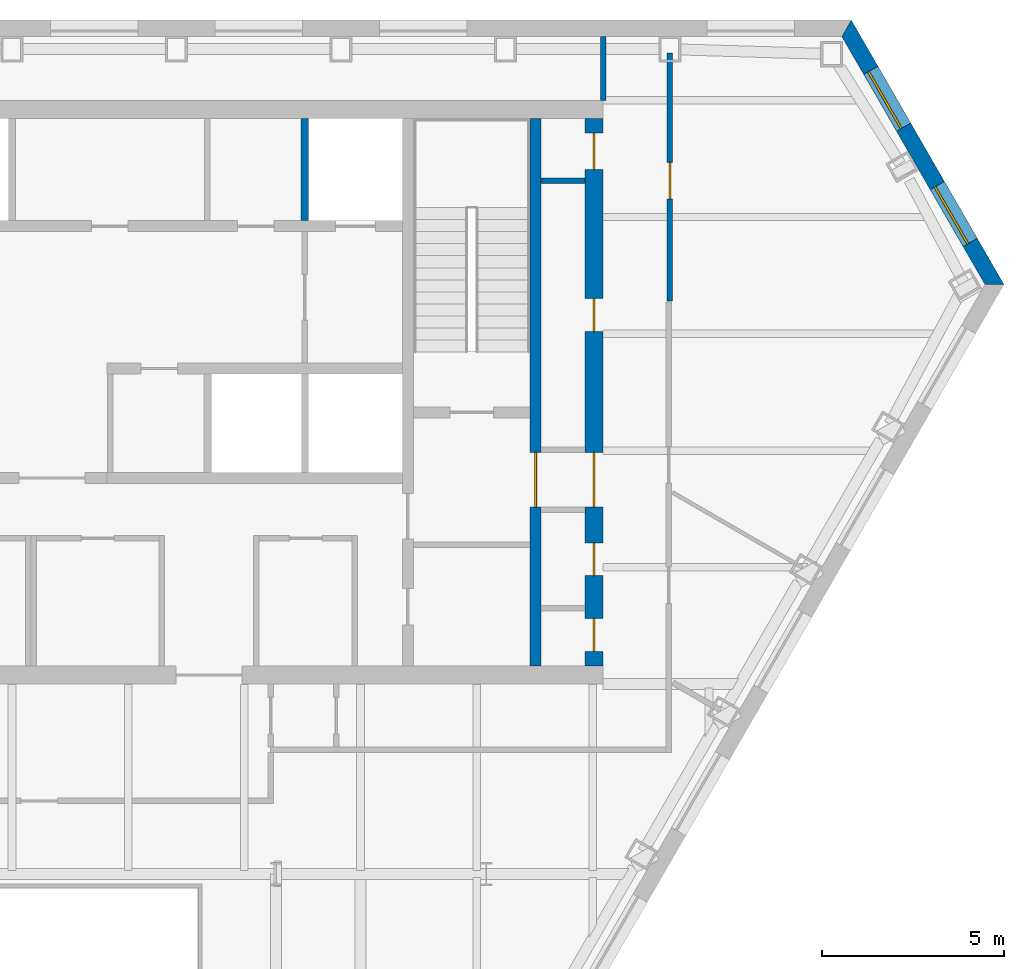
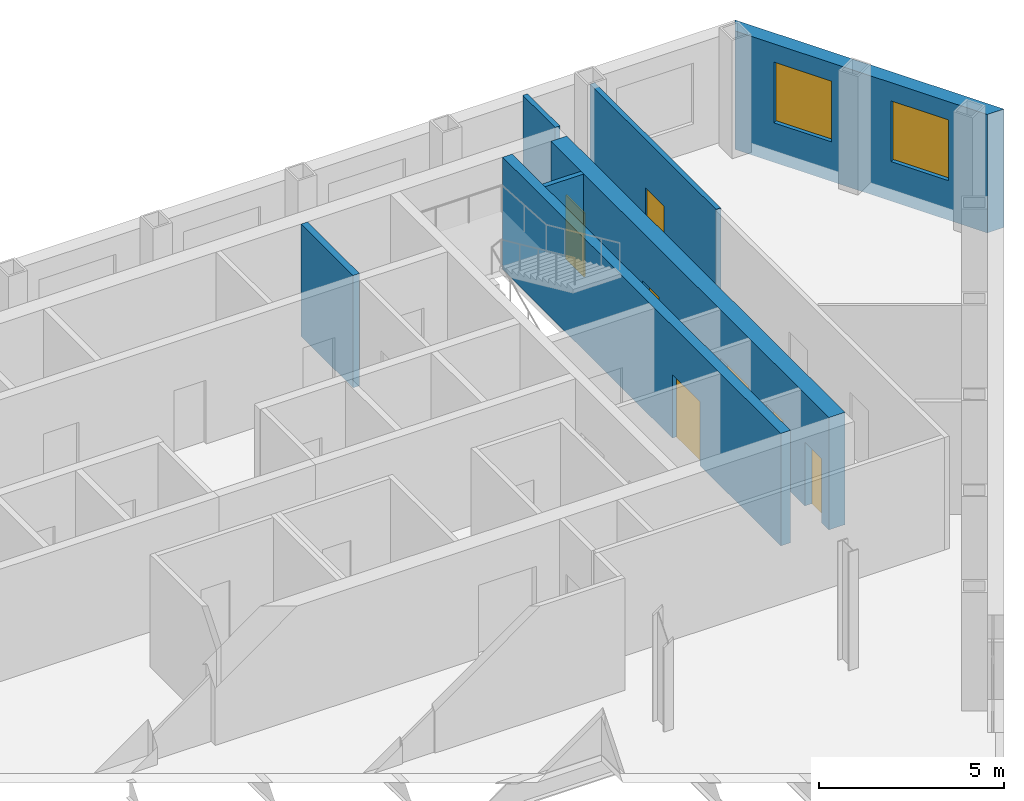
# One storey, part 8 of 11: 7 doors, 7 walls, 2 windows, 9 openings.
"""IFC4 building model written with IfcOpenShell, lengths in metres."""

from ifc_helpers import new_model, si_unit, direction, frame, frame_2d, origin, place, context, subcontext, project, spatial, polyline, rectangle, outline, extrude, material, layer, layer_set, type_object, element, fill, save


model = new_model("IFC4")

# Units and contexts
model_context = context("Model", 3, precision=1e-05, world=origin(), true_north=direction((0.0, 1.0)))
body_context = subcontext(model_context, "Body", "Model", "MODEL_VIEW")
ifc_project = project(units=[si_unit("LENGTHUNIT", "METRE"), si_unit("AREAUNIT", "SQUARE_METRE"), si_unit("VOLUMEUNIT", "CUBIC_METRE"), si_unit("PLANEANGLEUNIT", "RADIAN"), si_unit("MASSUNIT", "GRAM", prefix="KILO")], contexts=[model_context])

# Site, building, storey
site_placement = place(None, origin())
site = spatial("IfcSite", under=ifc_project, at=site_placement, CompositionType="ELEMENT")
building_placement = place(site_placement, origin())
building = spatial("IfcBuilding", under=site, at=building_placement, Name="Njiva Tower", CompositionType="ELEMENT")
storey_placement = place(building_placement, frame((0.0, 0.0, 163.2)))
storey = spatial("IfcBuildingStorey", under=building, at=storey_placement, Name="L35", CompositionType="ELEMENT", Elevation=163.2)

# Wall
ifc_material_1 = material(Name="Blockwork", Category="masonry")
ifc_layer_1 = layer(ifc_material_1, 0.15)
ifc_layer_set_1 = layer_set([ifc_layer_1], Name="Blockwork")
wall_type_1 = type_object("IfcWallType", Name="WT1 Compartment partition 150", PredefinedType="PARTITIONING", material=ifc_layer_set_1)
wall_1_placement = place(storey_placement, frame((14.5, 15.801, 0.0), z_axis=(0.0, 0.0, 1.0), x_axis=(1.0, 0.0, 0.0)))
element("IfcWall", 1, at=wall_1_placement, inside=storey, type_object=wall_type_1, Name="Partition strip E10", PredefinedType="PARTITIONING", context=body_context, shape_type="SweptSolid", body=[
    extrude(rectangle(XDim=1.2, YDim=0.15, at=frame_2d((0.6, 0.0))), origin(), (0.0, 0.0, 1.0), 3.7),
])

# Wall, opening, door
ifc_material_2 = material(Name="Concrete C40/50", Category="concrete")
ifc_layer_2 = layer(ifc_material_2, 0.3)
ifc_layer_set_2 = layer_set([ifc_layer_2], Name="Concrete C40/50")
wall_type_2 = type_object("IfcWallType", Name="WT10 Stair enclosure wall 300", PredefinedType="SHEAR", material=ifc_layer_set_2)
wall_2_placement = place(storey_placement, frame((14.35, 2.5, 0.0), z_axis=(0.0, 0.0, 1.0), x_axis=(0.0, 1.0, 0.0)))
wall_2 = element("IfcWall", 2, at=wall_2_placement, inside=storey, type_object=wall_type_2, Name="Stair wall east outer", PredefinedType="SHEAR", context=body_context, shape_type="SweptSolid", body=[
    extrude(rectangle(XDim=15.0, YDim=0.3, at=frame_2d((7.5, 0.0))), origin(), (0.0, 0.0, 1.0), 3.7),
])
opening_1_placement = place(wall_2_placement, frame((4.35, 0.0, 0.0)))
opening_1 = element("IfcOpeningElement", 3, at=opening_1_placement, cuts=wall_2, Name="Opening S12-D927", PredefinedType="OPENING", context=body_context, shape_type="SweptSolid", body=[
    extrude(rectangle(XDim=1.5, YDim=2.1, at=frame_2d((0.75, 1.05))), frame((0.0, 0.16, 0.0), z_axis=(0.0, -1.0, 0.0), x_axis=(1.0, 0.0, 0.0)), (0.0, 0.0, 1.0), 0.32),
])
ifc_material_3 = material(Name="Glazed steel fire door", Category="steel")
door_type_1 = type_object("IfcDoorType", Name="D10 Exit door double 1500x2100 glazed", OperationType="DOUBLE_DOOR_SINGLE_SWING", PredefinedType="DOOR", material=ifc_material_3)
door_1_placement = place(opening_1_placement, origin())
door_1 = element("IfcDoor", 4, at=door_1_placement, inside=storey, type_object=door_type_1, Name="Stair B passage door", OperationType="DOUBLE_DOOR_SINGLE_SWING", OverallHeight=2.1, OverallWidth=1.5, PredefinedType="DOOR", context=body_context, shape_type="SweptSolid", body=[
    extrude(rectangle(XDim=1.5, YDim=2.1, at=frame_2d((0.75, 1.05))), frame((0.0, 0.025, 0.0), z_axis=(0.0, -1.0, 0.0), x_axis=(1.0, 0.0, 0.0)), (0.0, 0.0, 1.0), 0.05),
])
fill(opening_1, door_1)

# Wall, openings, doors
ifc_material_4 = material(Name="Concrete C60/75", Category="concrete")
ifc_layer_3 = layer(ifc_material_4, 0.5)
ifc_layer_set_3 = layer_set([ifc_layer_3], Name="Concrete C60/75")
wall_type_3 = type_object("IfcWallType", Name="WT13 Core wall 500", PredefinedType="SHEAR", material=ifc_layer_set_3)
wall_3_placement = place(storey_placement, frame((15.95, 2.5, 0.0), z_axis=(0.0, 0.0, 1.0), x_axis=(0.0, 1.0, 0.0)))
wall_3 = element("IfcWall", 5, at=wall_3_placement, inside=storey, type_object=wall_type_3, Name="Core wall east", PredefinedType="SHEAR", context=body_context, shape_type="SweptSolid", body=[
    extrude(rectangle(XDim=15.0, YDim=0.5, at=frame_2d((7.5, 0.0))), origin(), (0.0, 0.0, 1.0), 3.7),
])
opening_2_placement = place(wall_3_placement, frame((4.35, 0.0, 0.0)))
opening_2 = element("IfcOpeningElement", 6, at=opening_2_placement, cuts=wall_3, Name="Opening S12-D928", PredefinedType="OPENING", context=body_context, shape_type="SweptSolid", body=[
    extrude(rectangle(XDim=1.5, YDim=2.1, at=frame_2d((0.75, 1.05))), frame((0.0, 0.26, 0.0), z_axis=(0.0, -1.0, 0.0), x_axis=(1.0, 0.0, 0.0)), (0.0, 0.0, 1.0), 0.52),
])
opening_3_placement = place(wall_3_placement, frame((0.4, 0.0, 0.0)))
opening_3 = element("IfcOpeningElement", 7, at=opening_3_placement, cuts=wall_3, Name="Opening S12-D929", PredefinedType="OPENING", context=body_context, shape_type="SweptSolid", body=[
    extrude(rectangle(XDim=0.9, YDim=2.1, at=frame_2d((0.45, 1.05))), frame((0.0, 0.26, 0.0), z_axis=(0.0, -1.0, 0.0), x_axis=(1.0, 0.0, 0.0)), (0.0, 0.0, 1.0), 0.52),
])
opening_4_placement = place(wall_3_placement, frame((2.475, 0.0, 0.0)))
opening_4 = element("IfcOpeningElement", 8, at=opening_4_placement, cuts=wall_3, Name="Opening S12-D930", PredefinedType="OPENING", context=body_context, shape_type="SweptSolid", body=[
    extrude(rectangle(XDim=0.9, YDim=2.1, at=frame_2d((0.45, 1.05))), frame((0.0, 0.26, 0.0), z_axis=(0.0, -1.0, 0.0), x_axis=(1.0, 0.0, 0.0)), (0.0, 0.0, 1.0), 0.52),
])
opening_5_placement = place(wall_3_placement, frame((9.163, 0.0, 0.0)))
opening_5 = element("IfcOpeningElement", 9, at=opening_5_placement, cuts=wall_3, Name="Opening S12-D931", PredefinedType="OPENING", context=body_context, shape_type="SweptSolid", body=[
    extrude(rectangle(XDim=0.9, YDim=2.1, at=frame_2d((0.45, 1.05))), frame((0.0, 0.26, 0.0), z_axis=(0.0, -1.0, 0.0), x_axis=(1.0, 0.0, 0.0)), (0.0, 0.0, 1.0), 0.52),
])
opening_6_placement = place(wall_3_placement, frame((13.6, 0.0, 0.0)))
opening_6 = element("IfcOpeningElement", 10, at=opening_6_placement, cuts=wall_3, Name="Opening S12-D932", PredefinedType="OPENING", context=body_context, shape_type="SweptSolid", body=[
    extrude(rectangle(XDim=1.0, YDim=2.1, at=frame_2d((0.5, 1.05))), frame((0.0, 0.26, 0.0), z_axis=(0.0, -1.0, 0.0), x_axis=(1.0, 0.0, 0.0)), (0.0, 0.0, 1.0), 0.52),
])
door_2_placement = place(opening_2_placement, origin())
door_2 = element("IfcDoor", 11, at=door_2_placement, inside=storey, type_object=door_type_1, Name="Stair B corridor door", OperationType="DOUBLE_DOOR_SINGLE_SWING", OverallHeight=2.1, OverallWidth=1.5, PredefinedType="DOOR", context=body_context, shape_type="SweptSolid", body=[
    extrude(rectangle(XDim=1.5, YDim=2.1, at=frame_2d((0.75, 1.05))), frame((0.0, 0.025, 0.0), z_axis=(0.0, -1.0, 0.0), x_axis=(1.0, 0.0, 0.0)), (0.0, 0.0, 1.0), 0.05),
])
fill(opening_2, door_2)
ifc_material_5 = material(Name="Steel door, painted", Category="steel")
door_type_2 = type_object("IfcDoorType", Name="D4 Riser door 900x2100", OperationType="SINGLE_SWING_LEFT", PredefinedType="DOOR", material=ifc_material_5)
door_3_placement = place(opening_3_placement, origin())
door_3 = element("IfcDoor", 12, at=door_3_placement, inside=storey, type_object=door_type_2, Name="Cable riser door", OperationType="SINGLE_SWING_LEFT", OverallHeight=2.1, OverallWidth=0.9, PredefinedType="DOOR", context=body_context, shape_type="SweptSolid", body=[
    extrude(rectangle(XDim=0.9, YDim=2.1, at=frame_2d((0.45, 1.05))), frame((0.0, 0.025, 0.0), z_axis=(0.0, -1.0, 0.0), x_axis=(1.0, 0.0, 0.0)), (0.0, 0.0, 1.0), 0.05),
])
fill(opening_3, door_3)
door_type_3 = type_object("IfcDoorType", Name="D5 Steel door 1000x2100", OperationType="SINGLE_SWING_LEFT", PredefinedType="DOOR", material=ifc_material_5)
door_4_placement = place(opening_6_placement, origin())
door_4 = element("IfcDoor", 13, at=door_4_placement, inside=storey, type_object=door_type_3, Name="Telecoms room door", OperationType="SINGLE_SWING_RIGHT", OverallHeight=2.1, OverallWidth=1.0, PredefinedType="DOOR", context=body_context, shape_type="SweptSolid", body=[
    extrude(rectangle(XDim=1.0, YDim=2.1, at=frame_2d((0.5, 1.05))), frame((0.0, 0.025, 0.0), z_axis=(0.0, -1.0, 0.0), x_axis=(1.0, 0.0, 0.0)), (0.0, 0.0, 1.0), 0.05),
])
fill(opening_6, door_4)
ifc_material_6 = material(Name="Steel fire door, painted", Category="steel")
door_type_4 = type_object("IfcDoorType", Name="D6 Fire-rated door 900x2100", OperationType="SINGLE_SWING_LEFT", PredefinedType="DOOR", material=ifc_material_6)
door_5_placement = place(opening_4_placement, origin())
door_5 = element("IfcDoor", 14, at=door_5_placement, inside=storey, type_object=door_type_4, Name="Cable store door", OperationType="SINGLE_SWING_LEFT", OverallHeight=2.1, OverallWidth=0.9, PredefinedType="DOOR", context=body_context, shape_type="SweptSolid", body=[
    extrude(rectangle(XDim=0.9, YDim=2.1, at=frame_2d((0.45, 1.05))), frame((0.0, 0.025, 0.0), z_axis=(0.0, -1.0, 0.0), x_axis=(1.0, 0.0, 0.0)), (0.0, 0.0, 1.0), 0.05),
])
fill(opening_4, door_5)
door_6_placement = place(opening_5_placement, origin())
door_6 = element("IfcDoor", 15, at=door_6_placement, inside=storey, type_object=door_type_4, Name="Cable store door", OperationType="SINGLE_SWING_RIGHT", OverallHeight=2.1, OverallWidth=0.9, PredefinedType="DOOR", context=body_context, shape_type="SweptSolid", body=[
    extrude(rectangle(XDim=0.9, YDim=2.1, at=frame_2d((0.45, 1.05))), frame((0.0, 0.025, 0.0), z_axis=(0.0, -1.0, 0.0), x_axis=(1.0, 0.0, 0.0)), (0.0, 0.0, 1.0), 0.05),
])
fill(opening_5, door_6)

# Wall
ifc_material_7 = material(Name="Gypsum board on steel studs", Category="gypsum")
ifc_layer_4 = layer(ifc_material_7, 0.15)
ifc_layer_set_4 = layer_set([ifc_layer_4], Name="Gypsum board on steel studs")
wall_type_4 = type_object("IfcWallType", Name="WT21 Compartment wall 150", PredefinedType="PARTITIONING", material=ifc_layer_set_4)
wall_4_placement = place(storey_placement, frame((16.2, 18.0, 0.0), z_axis=(0.0, 0.0, 1.0), x_axis=(0.0, 1.0, 0.0)))
element("IfcWall", 16, at=wall_4_placement, inside=storey, type_object=wall_type_4, Name="Partition S12-P027", PredefinedType="PARTITIONING", context=body_context, shape_type="SweptSolid", body=[
    extrude(rectangle(XDim=1.75, YDim=0.15, at=frame_2d((0.875, 0.0))), origin(), (0.0, 0.0, 1.0), 3.7),
])

# Wall, opening, door
wall_5_placement = place(storey_placement, frame((18.031, 12.498, 0.0), z_axis=(0.0, 0.0, 1.0), x_axis=(0.0, 1.0, 0.0)))
wall_5 = element("IfcWall", 17, at=wall_5_placement, inside=storey, type_object=wall_type_4, Name="Partition S12-P029", PredefinedType="PARTITIONING", context=body_context, shape_type="SweptSolid", body=[
    extrude(rectangle(XDim=6.802, YDim=0.15, at=frame_2d((3.401, 0.0))), origin(), (0.0, 0.0, 1.0), 3.7),
])
opening_7_placement = place(wall_5_placement, frame((2.801, 0.0, 0.0)))
opening_7 = element("IfcOpeningElement", 18, at=opening_7_placement, cuts=wall_5, Name="Opening S12-D016", PredefinedType="OPENING", context=body_context, shape_type="SweptSolid", body=[
    extrude(rectangle(XDim=1.0, YDim=2.1, at=frame_2d((0.5, 1.05))), frame((0.0, 0.085, 0.0), z_axis=(0.0, -1.0, 0.0), x_axis=(1.0, 0.0, 0.0)), (0.0, 0.0, 1.0), 0.17),
])
ifc_material_8 = material(Name="Steel fire door set", Category="steel")
door_type_5 = type_object("IfcDoorType", Name="D37 Fire door 1000x2100", OperationType="SINGLE_SWING_LEFT", PredefinedType="DOOR", material=ifc_material_8)
door_7_placement = place(opening_7_placement, origin())
door_7 = element("IfcDoor", 19, at=door_7_placement, inside=storey, type_object=door_type_5, Name="Door S12-D016", OperationType="SINGLE_SWING_LEFT", OverallHeight=2.1, OverallWidth=1.0, PredefinedType="DOOR", context=body_context, shape_type="SweptSolid", body=[
    extrude(rectangle(XDim=1.0, YDim=2.1, at=frame_2d((0.5, 1.05))), frame((0.0, 0.025, 0.0), z_axis=(0.0, -1.0, 0.0), x_axis=(1.0, 0.0, 0.0)), (0.0, 0.0, 1.0), 0.05),
])
fill(opening_7, door_7)

# Wall
ifc_layer_5 = layer(ifc_material_2, 0.2)
ifc_layer_set_5 = layer_set([ifc_layer_5], Name="Concrete C40/50")
wall_type_5 = type_object("IfcWallType", Name="WT6 Lift shaft wall 200", PredefinedType="SHEAR", material=ifc_layer_set_5)
wall_6_placement = place(storey_placement, frame((8.025, 14.7, 0.0), z_axis=(0.0, 0.0, 1.0), x_axis=(0.0, 1.0, 0.0)))
element("IfcWall", 20, at=wall_6_placement, inside=storey, type_object=wall_type_5, Name="Shaft wall CN7", PredefinedType="SHEAR", context=body_context, shape_type="SweptSolid", body=[
    extrude(rectangle(XDim=2.8, YDim=0.2, at=frame_2d((1.4, 0.0))), origin(), (0.0, 0.0, 1.0), 3.7),
])

# Wall, openings, windows
ifc_material_9 = material(Name="Brick masonry, buff", Category="masonry")
ifc_layer_6 = layer(ifc_material_9, 0.45)
ifc_layer_set_6 = layer_set([ifc_layer_6], Name="Brick masonry, buff")
wall_type_6 = type_object("IfcWallType", Name="WT94 Brick pier and spandrel wall 450, buff", PredefinedType="SOLIDWALL", material=ifc_layer_set_6)
wall_7_placement = place(storey_placement, frame((26.9252, 12.9514, -0.4), z_axis=(0.0, 0.0, 1.0), x_axis=(-0.500002094529, 0.866024194504, 0.0)))
wall_7 = element("IfcWall", 21, at=wall_7_placement, inside=storey, type_object=wall_type_6, Name="Facade wall NE", PredefinedType="SOLIDWALL", context=body_context, shape_type="SweptSolid", body=[
    extrude(outline(polyline([(-0.1299, -0.225), (8.2401, -0.225), (7.9803, 0.225), (0.1299, 0.225), (-0.1299, -0.225)])), origin(), (0.0, 0.0, 1.0), 3.9),
])
opening_8_placement = place(wall_7_placement, frame((1.3319, 0.0, 1.3)))
opening_8 = element("IfcOpeningElement", 22, at=opening_8_placement, cuts=wall_7, Name="Opening S12-W34", PredefinedType="OPENING", context=body_context, shape_type="SweptSolid", body=[
    extrude(rectangle(XDim=1.8, YDim=2.0, at=frame_2d((0.9, 1.0))), frame((0.0, 0.235, 0.0), z_axis=(0.0, -1.0, 0.0), x_axis=(1.0, 0.0, 0.0)), (0.0, 0.0, 1.0), 0.47),
])
opening_9_placement = place(wall_7_placement, frame((4.9782, 0.0, 1.3)))
opening_9 = element("IfcOpeningElement", 23, at=opening_9_placement, cuts=wall_7, Name="Opening S12-W35", PredefinedType="OPENING", context=body_context, shape_type="SweptSolid", body=[
    extrude(rectangle(XDim=1.8, YDim=2.0, at=frame_2d((0.9, 1.0))), frame((0.0, 0.235, 0.0), z_axis=(0.0, -1.0, 0.0), x_axis=(1.0, 0.0, 0.0)), (0.0, 0.0, 1.0), 0.47),
])
ifc_material_10 = material(Name="Clear glazing in aluminium frame", Category="aluminium")
window_type = type_object("IfcWindowType", Name="W94 Deep-set window 1800x2000", PartitioningType="SINGLE_PANEL", PredefinedType="WINDOW", material=ifc_material_10)
window_1_placement = place(opening_8_placement, origin())
window_1 = element("IfcWindow", 24, at=window_1_placement, inside=storey, type_object=window_type, Name="Window", OverallHeight=2.0, OverallWidth=1.8, PartitioningType="SINGLE_PANEL", PredefinedType="WINDOW", context=body_context, shape_type="SweptSolid", body=[
    extrude(rectangle(XDim=1.8, YDim=2.0, at=frame_2d((0.9, 1.0))), frame((0.0, 0.105, 0.0), z_axis=(0.0, -1.0, 0.0), x_axis=(1.0, 0.0, 0.0)), (0.0, 0.0, 1.0), 0.06),
])
fill(opening_8, window_1)
window_2_placement = place(opening_9_placement, origin())
window_2 = element("IfcWindow", 25, at=window_2_placement, inside=storey, type_object=window_type, Name="Window", OverallHeight=2.0, OverallWidth=1.8, PartitioningType="SINGLE_PANEL", PredefinedType="WINDOW", context=body_context, shape_type="SweptSolid", body=[
    extrude(rectangle(XDim=1.8, YDim=2.0, at=frame_2d((0.9, 1.0))), frame((0.0, 0.105, 0.0), z_axis=(0.0, -1.0, 0.0), x_axis=(1.0, 0.0, 0.0)), (0.0, 0.0, 1.0), 0.06),
])
fill(opening_9, window_2)

save(model, "model.ifc")
